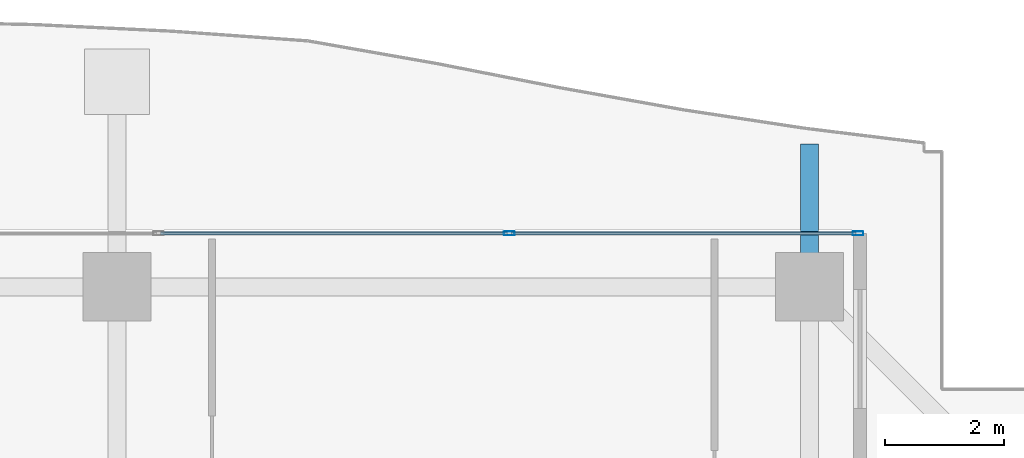
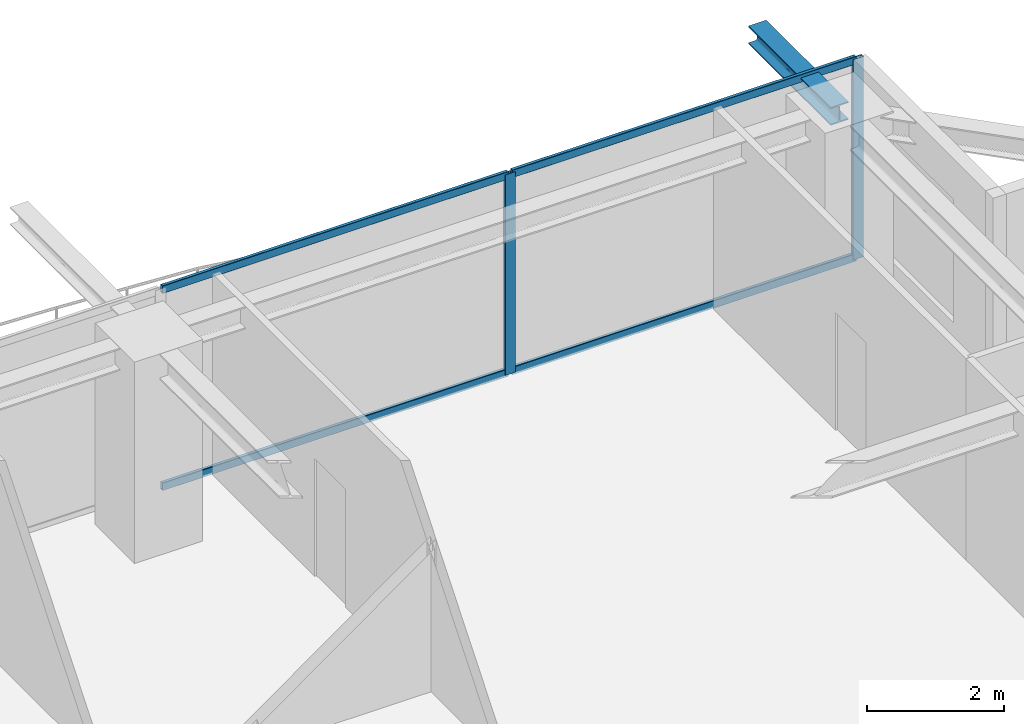
# One storey, part 24 of 37: 6 members, 1 beam, 1 element without a shape of its own.
"""IFC4 building model written with IfcOpenShell, lengths in metres."""

from ifc_helpers import new_model, si_unit, direction, frame, origin, origin_2d, place, context, subcontext, project, spatial, hollow_rectangle, i_section, extrude, source, transform, mapped, material, layer, layer_set, material_profile, profile_set, type_object, element, aggregate, save


model = new_model("IFC4")

# Units and contexts
model_context = context("Model", 3, precision=1e-05, world=origin(), true_north=direction((0.0, 1.0)))
body_context = subcontext(model_context, "Body", "Model", "MODEL_VIEW")
ifc_project = project(units=[si_unit("LENGTHUNIT", "METRE"), si_unit("AREAUNIT", "SQUARE_METRE"), si_unit("VOLUMEUNIT", "CUBIC_METRE"), si_unit("PLANEANGLEUNIT", "RADIAN"), si_unit("MASSUNIT", "GRAM", prefix="KILO")], contexts=[model_context])

# Site, building, storey
site_placement = place(None, origin())
site = spatial("IfcSite", under=ifc_project, at=site_placement, CompositionType="ELEMENT")
building_placement = place(site_placement, origin())
building = spatial("IfcBuilding", under=site, at=building_placement, Name="Serunith Strait Residences", CompositionType="ELEMENT")
storey_placement = place(building_placement, frame((0.0, 0.0, 248.949951171875)))
storey = spatial("IfcBuildingStorey", under=building, at=storey_placement, Name="L62", CompositionType="ELEMENT", Elevation=248.949951171875)

# Beam
ifc_material_1 = material(Name="Steel S355J2", Category="steel")
ifc_material_profile_1 = material_profile(ifc_material_1, i_section(OverallWidth=0.300048828125, OverallDepth=0.320068359375, WebThickness=0.011474609375, FlangeThickness=0.0205078125, FilletRadius=0.027099609375, at=origin_2d()), Name="HEB 320")
ifc_profile_set_1 = profile_set([ifc_material_profile_1], Name="Steel S355J2")
beam_type = type_object("IfcBeamType", Name="BM-HEB320", PredefinedType="BEAM", material=ifc_profile_set_1)
shared_shape_1 = source(origin(), body_context, "Body", "SweptSolid", [
    extrude(i_section(OverallWidth=0.300048828125, OverallDepth=0.320068359375, WebThickness=0.011474609375, FlangeThickness=0.0205078125, FilletRadius=0.027099609375, at=origin_2d()), origin(), (0.0, 0.0, 1.0), 2.40185546875),
])
beam_placement = place(storey_placement, frame((48.550048828125, 48.300048828125, 3.39697265625), z_axis=(0.0, 1.0, 0.0), x_axis=(-1.0, 0.0, 0.0)))
element("IfcBeam", 1, at=beam_placement, inside=storey, type_object=beam_type, Name="L63 Cantilevered Balcony Rib TC-N4", PredefinedType="BEAM", context=body_context, shape_type="MappedRepresentation", body=[
    mapped(shared_shape_1, transform((0.0, 0.0, 0.0), scale=1.0)),
])

# Curtain wall, members
ifc_material_2 = material(Name="Pale-Champagne Anodised Aluminium", Category="aluminium")
ifc_layer = layer(ifc_material_2, 0.199951171875, Name="Pale-Champagne Anodised Aluminium")
ifc_layer_set = layer_set([ifc_layer], Name="Pale-Champagne Anodised Aluminium")
curtain_wall_type = type_object("IfcCurtainWallType", Name="CW-SYS4", PredefinedType="NOTDEFINED", material=ifc_layer_set)
curtain_wall_placement = place(storey_placement, origin())
curtain_wall = element("IfcCurtainWall", 2, at=curtain_wall_placement, inside=storey, type_object=curtain_wall_type, Name="L62 N Unitised Fritted Curtain Wall", PredefinedType="NOTDEFINED")
ifc_material_profile_2 = material_profile(ifc_material_2, hollow_rectangle(XDim=0.06494140625, YDim=0.179931640625, WallThickness=0.00341796875, InnerFilletRadius=0.00537109375, OuterFilletRadius=0.0087890625, at=origin_2d()), Name="ALU 180x65x3.5")
ifc_profile_set_2 = profile_set([ifc_material_profile_2], Name="Pale-Champagne Anodised Aluminium")
member_type_1 = type_object("IfcMemberType", Name="CW-SYS4-MULL", PredefinedType="MULLION", material=ifc_profile_set_2)
shared_shape_2 = source(origin(), body_context, "Body", "SweptSolid", [
    extrude(hollow_rectangle(XDim=0.06494140625, YDim=0.179931640625, WallThickness=0.00341796875, InnerFilletRadius=0.00537109375, OuterFilletRadius=0.0087890625, at=origin_2d()), origin(), (0.0, 0.0, 1.0), 3.574951171875),
])
member_1_placement = place(storey_placement, frame((49.367431640625, 49.199951171875, 0.0), z_axis=(0.0, 0.0, 1.0), x_axis=(0.0, -1.0, 0.0)))
member_1 = element("IfcMember", 3, at=member_1_placement, type_object=member_type_1, Name="CW-4 mullion 1", PredefinedType="MULLION", context=body_context, shape_type="MappedRepresentation", body=[
    mapped(shared_shape_2, transform((0.0, 0.0, 0.0), scale=1.0)),
])
member_2_placement = place(storey_placement, frame((43.5, 49.199951171875, 0.0), z_axis=(0.0, 0.0, 1.0), x_axis=(0.0, -1.0, 0.0)))
member_2 = element("IfcMember", 4, at=member_2_placement, type_object=member_type_1, Name="CW-4 mullion 2", PredefinedType="MULLION", context=body_context, shape_type="MappedRepresentation", body=[
    mapped(shared_shape_2, transform((0.0, 0.0, 0.0), scale=1.0)),
])
ifc_material_profile_3 = material_profile(ifc_material_2, hollow_rectangle(XDim=0.06005859375, YDim=0.139892578125, WallThickness=0.00341796875, InnerFilletRadius=0.00537109375, OuterFilletRadius=0.0087890625, at=origin_2d()), Name="ALU 140x60x3.5")
ifc_profile_set_3 = profile_set([ifc_material_profile_3], Name="Pale-Champagne Anodised Aluminium")
member_type_2 = type_object("IfcMemberType", Name="CW-SYS4-TRAN", PredefinedType="USERDEFINED", material=ifc_profile_set_3)
shared_shape_3 = source(origin(), body_context, "Body", "SweptSolid", [
    extrude(hollow_rectangle(XDim=0.06005859375, YDim=0.139892578125, WallThickness=0.00341796875, InnerFilletRadius=0.00537109375, OuterFilletRadius=0.0087890625, at=origin_2d()), origin(), (0.0, 0.0, 1.0), 5.802490234375),
])
member_3_placement = place(storey_placement, frame((49.3349609375, 49.199951171875, 0.030029296875), z_axis=(-1.0, 0.0, 0.0), x_axis=(0.0, -1.0, 0.0)))
member_3 = element("IfcMember", 5, at=member_3_placement, type_object=member_type_2, Name="CW-4 transom 1.1", ObjectType="TRANSOM", PredefinedType="USERDEFINED", context=body_context, shape_type="MappedRepresentation", body=[
    mapped(shared_shape_3, transform((0.0, 0.0, 0.0), scale=1.0)),
])
member_4_placement = place(storey_placement, frame((49.3349609375, 49.199951171875, 3.545166015625), z_axis=(-1.0, 0.0, 0.0), x_axis=(0.0, -1.0, 0.0)))
member_4 = element("IfcMember", 6, at=member_4_placement, type_object=member_type_2, Name="CW-4 transom 1.2", ObjectType="TRANSOM", PredefinedType="USERDEFINED", context=body_context, shape_type="MappedRepresentation", body=[
    mapped(shared_shape_3, transform((0.0, 0.0, 0.0), scale=1.0)),
])
shared_shape_4 = source(origin(), body_context, "Body", "SweptSolid", [
    extrude(hollow_rectangle(XDim=0.06005859375, YDim=0.139892578125, WallThickness=0.00341796875, InnerFilletRadius=0.00537109375, OuterFilletRadius=0.0087890625, at=origin_2d()), origin(), (0.0, 0.0, 1.0), 5.8349609375),
])
member_5_placement = place(storey_placement, frame((43.467529296875, 49.199951171875, 0.030029296875), z_axis=(-1.0, 0.0, 0.0), x_axis=(0.0, -1.0, 0.0)))
member_5 = element("IfcMember", 7, at=member_5_placement, type_object=member_type_2, Name="CW-4 transom 2.1", ObjectType="TRANSOM", PredefinedType="USERDEFINED", context=body_context, shape_type="MappedRepresentation", body=[
    mapped(shared_shape_4, transform((0.0, 0.0, 0.0), scale=1.0)),
])
member_6_placement = place(storey_placement, frame((43.467529296875, 49.199951171875, 3.545166015625), z_axis=(-1.0, 0.0, 0.0), x_axis=(0.0, -1.0, 0.0)))
member_6 = element("IfcMember", 8, at=member_6_placement, type_object=member_type_2, Name="CW-4 transom 2.2", ObjectType="TRANSOM", PredefinedType="USERDEFINED", context=body_context, shape_type="MappedRepresentation", body=[
    mapped(shared_shape_4, transform((0.0, 0.0, 0.0), scale=1.0)),
])
aggregate(curtain_wall, [member_1, member_2, member_3, member_4, member_5, member_6])

save(model, "model.ifc")
